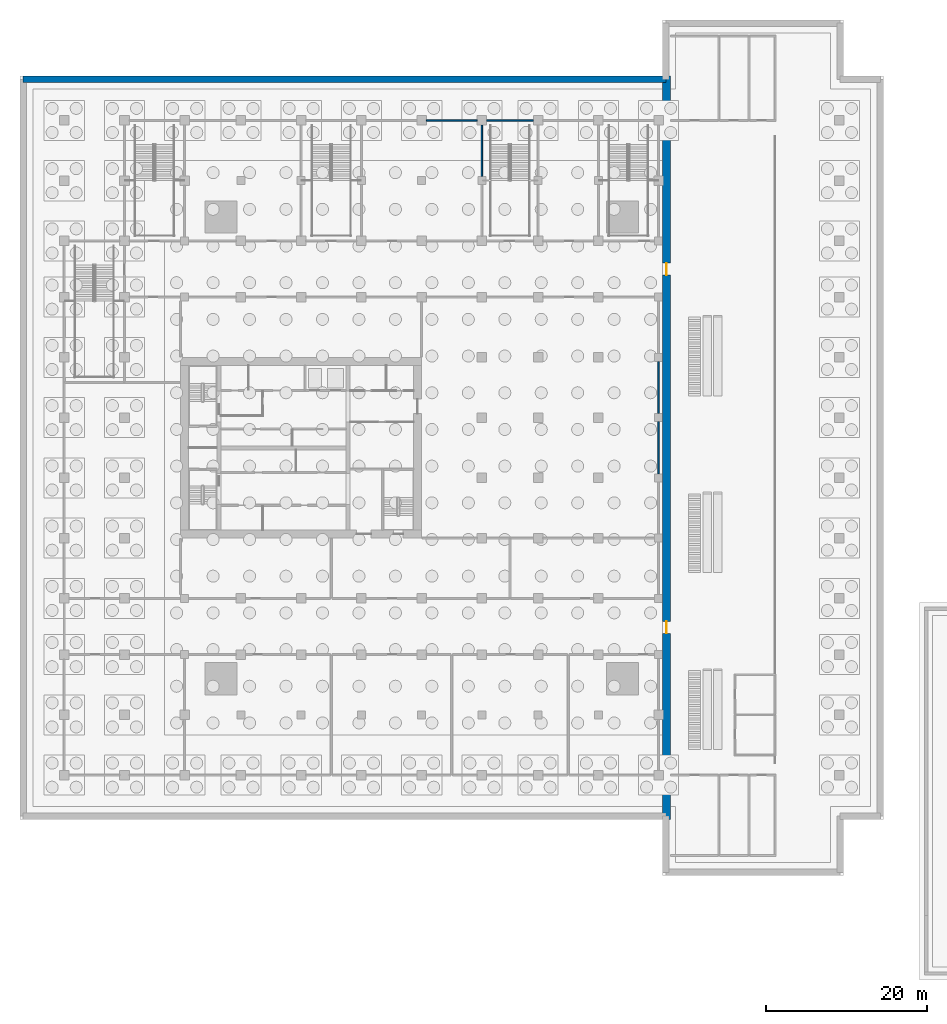
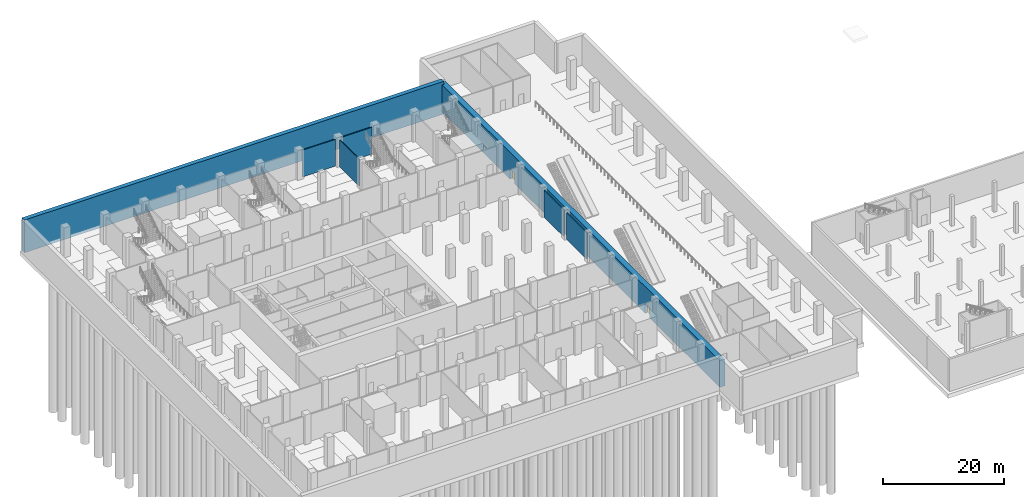
# One storey, part 12 of 39: 7 walls, 2 doors, 2 openings.
"""IFC4 building model written with IfcOpenShell, lengths in metres."""

from ifc_helpers import new_model, si_unit, direction, frame, frame_2d, origin, place, context, subcontext, project, spatial, rectangle, extrude, material, layer, layer_set, type_object, element, fill, save


model = new_model("IFC4")

# Units and contexts
model_context = context("Model", 3, precision=1e-05, world=origin(), true_north=direction((0.0, 1.0)))
body_context = subcontext(model_context, "Body", "Model", "MODEL_VIEW")
ifc_project = project(units=[si_unit("LENGTHUNIT", "METRE"), si_unit("AREAUNIT", "SQUARE_METRE"), si_unit("VOLUMEUNIT", "CUBIC_METRE"), si_unit("PLANEANGLEUNIT", "RADIAN"), si_unit("MASSUNIT", "GRAM", prefix="KILO")], contexts=[model_context])

# Site, building, storey
site_placement = place(None, origin())
site = spatial("IfcSite", under=ifc_project, at=site_placement, CompositionType="ELEMENT")
building_placement = place(site_placement, origin())
building = spatial("IfcBuilding", under=site, at=building_placement, Name="Tamorin Gate", CompositionType="ELEMENT")
storey_placement = place(building_placement, frame((0.0, 0.0, -12.0)))
storey = spatial("IfcBuildingStorey", under=building, at=storey_placement, Name="B2", CompositionType="ELEMENT", Elevation=-12.0)

# Walls
ifc_material_1 = material(Name="Concrete masonry C20/25", Category="masonry")
ifc_layer_1 = layer(ifc_material_1, 0.199951171875)
ifc_layer_set_1 = layer_set([ifc_layer_1], Name="Plant room wall 200")
wall_type_1 = type_object("IfcWallType", Name="Plant room wall 200", PredefinedType="PARTITIONING", material=ifc_layer_set_1)
wall_1_placement = place(storey_placement, frame((60.60009765625, 112.0, 0.0), z_axis=(0.0, 0.0, 1.0), x_axis=(1.0, 0.0, 0.0)))
element("IfcWall", 1, at=wall_1_placement, inside=storey, type_object=wall_type_1, Name="Plant room wall 200 B2", PredefinedType="PARTITIONING", context=body_context, shape_type="SweptSolid", body=[
    extrude(rectangle(XDim=6.2998046875, YDim=0.199951171875, at=frame_2d((3.14990234375, 0.0))), origin(), (0.0, 0.0, 1.0), 5.39990234375),
])
for number, where, z_axis, x_axis, name in (
    (2, (89.5, 68.0, 0.0), (0.0, 0.0, 1.0), (0.0, 1.0, 0.0), "Plant room wall 200 B2"),
    (3, (89.5, 75.5, 0.0), (0.0, 0.0, 1.0), (0.0, 1.0, 0.0), "Plant room wall 200 B2"),
):
    element("IfcWall", number, at=place(storey_placement, frame(where, z_axis=z_axis, x_axis=x_axis)), inside=storey, type_object=wall_type_1, Name=name, PredefinedType="PARTITIONING", context=body_context, shape_type="SweptSolid", body=[
        extrude(rectangle(XDim=6.5, YDim=0.199951171875, at=frame_2d((3.25, 0.0))), origin(), (0.0, 0.0, 1.0), 5.39990234375),
    ])
ifc_material_2 = material(Name="Concrete C40/50", Category="concrete")
ifc_layer_2 = layer(ifc_material_2, 0.800048828125)
ifc_layer_set_2 = layer_set([ifc_layer_2], Name="RC basement wall 800 C40/50")
wall_type_2 = type_object("IfcWallType", Name="RC basement wall 800 C40/50", PredefinedType="SHEAR", material=ifc_layer_set_2)
wall_2_placement = place(storey_placement, frame((10.39990234375, 117.10009765625, -0.60009765625), z_axis=(0.0, 0.0, 1.0), x_axis=(1.0, 0.0, 0.0)))
element("IfcWall", 4, at=wall_2_placement, inside=storey, type_object=wall_type_2, Name="Basement wall B2", PredefinedType="SHEAR", context=body_context, shape_type="SweptSolid", body=[
    extrude(rectangle(XDim=80.0, YDim=0.800048828125, at=frame_2d((40.0, 0.0))), origin(), (0.0, 0.0, 1.0), 6.60009765625),
])

# Wall, openings, doors
ifc_material_3 = material(Name="Concrete C50/60", Category="concrete")
ifc_layer_3 = layer(ifc_material_3, 1.0)
ifc_layer_set_3 = layer_set([ifc_layer_3], Name="RC station wall 1000 C50/60")
wall_type_3 = type_object("IfcWallType", Name="RC station wall 1000 C50/60", PredefinedType="SHEAR", material=ifc_layer_set_3)
wall_3_placement = place(storey_placement, frame((90.5, 25.0, 0.0), z_axis=(0.0, 0.0, 1.0), x_axis=(0.0, 1.0, 0.0)))
wall_3 = element("IfcWall", 5, at=wall_3_placement, inside=storey, type_object=wall_type_3, Name="Station wall B2", PredefinedType="SHEAR", context=body_context, shape_type="SweptSolid", body=[
    extrude(rectangle(XDim=92.5, YDim=1.0, at=frame_2d((46.25, 0.0))), origin(), (0.0, 0.0, 1.0), 5.39990234375),
])
opening_1_placement = place(wall_3_placement, frame((23.14990234375, 0.0, 0.0)))
opening_1 = element("IfcOpeningElement", 6, at=opening_1_placement, cuts=wall_3, Name="Opening DP7", PredefinedType="OPENING", context=body_context, shape_type="SweptSolid", body=[
    extrude(rectangle(XDim=1.5, YDim=2.10009765625, at=frame_2d((0.75, 1.050048828125))), frame((0.0, 0.510009765625, 0.0), z_axis=(0.0, -1.0, 0.0), x_axis=(1.0, 0.0, 0.0)), (0.0, 0.0, 1.0), 1.02001953125),
])
opening_2_placement = place(wall_3_placement, frame((67.75, 0.0, 0.0)))
opening_2 = element("IfcOpeningElement", 7, at=opening_2_placement, cuts=wall_3, Name="Opening DP7", PredefinedType="OPENING", context=body_context, shape_type="SweptSolid", body=[
    extrude(rectangle(XDim=1.5, YDim=2.10009765625, at=frame_2d((0.75, 1.050048828125))), frame((0.0, 0.510009765625, 0.0), z_axis=(0.0, -1.0, 0.0), x_axis=(1.0, 0.0, 0.0)), (0.0, 0.0, 1.0), 1.02001953125),
])
ifc_material_4 = material(Name="Painted steel", Category="steel")
door_type = type_object("IfcDoorType", Name="Door pair 1500", OperationType="DOUBLE_DOOR_SINGLE_SWING", PredefinedType="DOOR", material=ifc_material_4)
door_1_placement = place(opening_1_placement, origin())
door_1 = element("IfcDoor", 8, at=door_1_placement, inside=storey, type_object=door_type, Name="Door pair 1500", OperationType="SINGLE_SWING_LEFT", OverallHeight=2.10009765625, OverallWidth=1.5, PredefinedType="DOOR", context=body_context, shape_type="SweptSolid", body=[
    extrude(rectangle(XDim=1.5, YDim=2.10009765625, at=frame_2d((0.75, 1.050048828125))), frame((0.0, 0.02490234375, 0.0), z_axis=(0.0, -1.0, 0.0), x_axis=(1.0, 0.0, 0.0)), (0.0, 0.0, 1.0), 0.050048828125),
])
fill(opening_1, door_1)
door_2_placement = place(opening_2_placement, origin())
door_2 = element("IfcDoor", 9, at=door_2_placement, inside=storey, type_object=door_type, Name="Door pair 1500", OperationType="SINGLE_SWING_LEFT", OverallHeight=2.10009765625, OverallWidth=1.5, PredefinedType="DOOR", context=body_context, shape_type="SweptSolid", body=[
    extrude(rectangle(XDim=1.5, YDim=2.10009765625, at=frame_2d((0.75, 1.050048828125))), frame((0.0, 0.02490234375, 0.0), z_axis=(0.0, -1.0, 0.0), x_axis=(1.0, 0.0, 0.0)), (0.0, 0.0, 1.0), 0.050048828125),
])
fill(opening_2, door_2)

# Walls
ifc_layer_4 = layer(ifc_material_2, 0.199951171875)
ifc_layer_set_4 = layer_set([ifc_layer_4], Name="Stair enclosure 200")
wall_type_4 = type_object("IfcWallType", Name="Stair enclosure 200", PredefinedType="SHEAR", material=ifc_layer_set_4)
wall_4_placement = place(storey_placement, frame((68.10009765625, 112.0, 0.0), z_axis=(0.0, 0.0, 1.0), x_axis=(1.0, 0.0, 0.0)))
element("IfcWall", 10, at=wall_4_placement, inside=storey, type_object=wall_type_4, Name="Stair enclosure 200 B2", PredefinedType="SHEAR", context=body_context, shape_type="SweptSolid", body=[
    extrude(rectangle(XDim=5.7998046875, YDim=0.199951171875, at=frame_2d((2.89990234375, 0.0))), origin(), (0.0, 0.0, 1.0), 5.39990234375),
])
wall_5_placement = place(storey_placement, frame((67.5, 105.0, 0.0), z_axis=(0.0, 0.0, 1.0), x_axis=(0.0, 1.0, 0.0)))
element("IfcWall", 11, at=wall_5_placement, inside=storey, type_object=wall_type_4, Name="Stair enclosure 200 B2", PredefinedType="SHEAR", context=body_context, shape_type="SweptSolid", body=[
    extrude(rectangle(XDim=6.39990234375, YDim=0.199951171875, at=frame_2d((3.199951171875, 0.0))), origin(), (0.0, 0.0, 1.0), 5.39990234375),
])

save(model, "model.ifc")
